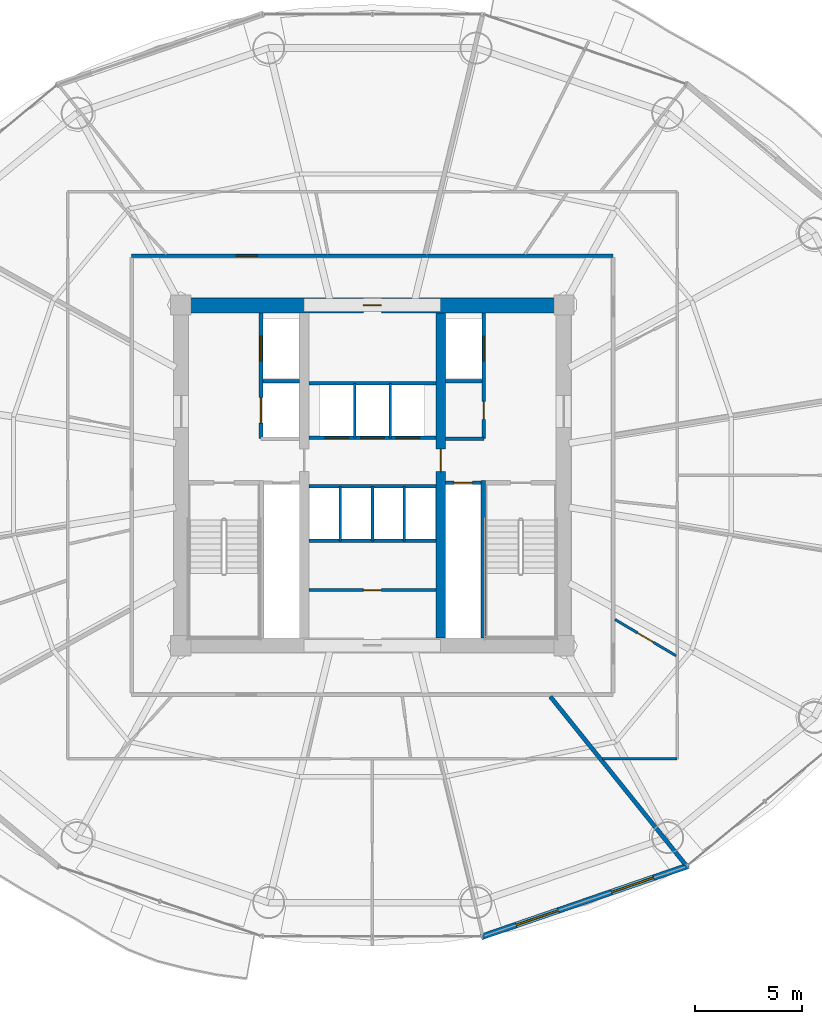
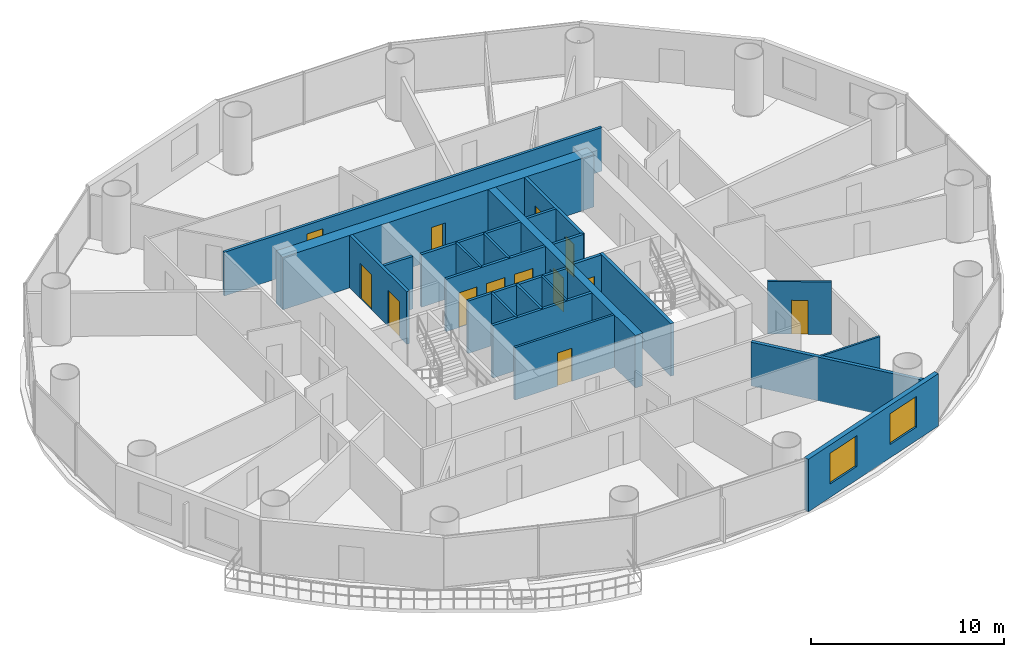
# One storey, part 23 of 29: 24 walls, 13 doors, 2 windows, 15 openings.
"""IFC4 building model written with IfcOpenShell, lengths in metres."""

from ifc_helpers import new_model, si_unit, direction, frame, frame_2d, origin, place, context, subcontext, project, spatial, rectangle, extrude, source, transform, mapped, material, layer, layer_set, type_object, element, fill, save


model = new_model("IFC4")

# Units and contexts
model_context = context("Model", 3, precision=1e-05, world=origin(), true_north=direction((-0.2419218956, 0.970295726276)))
body_context = subcontext(model_context, "Body", "Model", "MODEL_VIEW")
ifc_project = project(units=[si_unit("LENGTHUNIT", "METRE"), si_unit("AREAUNIT", "SQUARE_METRE"), si_unit("VOLUMEUNIT", "CUBIC_METRE"), si_unit("PLANEANGLEUNIT", "RADIAN"), si_unit("MASSUNIT", "GRAM", prefix="KILO")], contexts=[model_context])

# Site, building, storey
site_placement = place(None, origin())
site = spatial("IfcSite", under=ifc_project, at=site_placement, CompositionType="ELEMENT")
building_placement = place(site_placement, origin())
building = spatial("IfcBuilding", under=site, at=building_placement, Name="Cobrevalo Terracotta Tower", CompositionType="ELEMENT")
storey_placement = place(building_placement, frame((0.0, 0.0, 123.0)))
storey = spatial("IfcBuildingStorey", under=building, at=storey_placement, Name="L32", CompositionType="ELEMENT", Elevation=123.0)

# Wall, opening, door
ifc_material_1 = material(Name="Concrete C60", Category="concrete")
ifc_layer_1 = layer(ifc_material_1, 0.699951171875)
ifc_layer_set_1 = layer_set([ifc_layer_1], Name="Concrete C60")
wall_type_1 = type_object("IfcWallType", Name="Core shear wall 700 mm Concrete C60", PredefinedType="SHEAR", material=ifc_layer_set_1)
wall_1_placement = place(storey_placement, frame((28.675048828125, 34.77490234375, 0.0), z_axis=(0.0, 0.0, 1.0), x_axis=(1.0, 0.0, 0.0)))
wall_1 = element("IfcWall", 1, at=wall_1_placement, inside=storey, type_object=wall_type_1, Name="L32 north core shear wall", PredefinedType="SHEAR", context=body_context, shape_type="SweptSolid", body=[
    extrude(rectangle(XDim=18.64990234375, YDim=0.699951171875, at=frame_2d((9.324951171875, 0.0))), origin(), (0.0, 0.0, 1.0), 3.324951171875),
])
opening_1_placement = place(wall_1_placement, frame((8.89990234375, 0.0, 0.0)))
opening_1 = element("IfcOpeningElement", 2, at=opening_1_placement, cuts=wall_1, Name="Opening ID-22", PredefinedType="OPENING", context=body_context, shape_type="SweptSolid", body=[
    extrude(rectangle(XDim=0.85009765625, YDim=2.10009765625, at=frame_2d((0.425048828125, 1.050048828125))), frame((0.0, 0.35986328125, 0.0), z_axis=(0.0, -1.0, 0.0), x_axis=(1.0, 0.0, 0.0)), (0.0, 0.0, 1.0), 0.719970703125),
])
ifc_material_2 = material(Name="Powder-coated steel", Category="steel")
door_type_1 = type_object("IfcDoorType", Name="Riser shaft & meter closet fire access door 850x2100 EI 60", OperationType="NOTDEFINED", PredefinedType="DOOR", material=ifc_material_2)
shared_shape_1 = source(origin(), body_context, "Body", "SweptSolid", [
    extrude(rectangle(XDim=0.85009765625, YDim=2.10009765625, at=frame_2d((0.425048828125, 1.050048828125))), frame((0.0, 0.02490234375, 0.0), z_axis=(0.0, -1.0, 0.0), x_axis=(1.0, 0.0, 0.0)), (0.0, 0.0, 1.0), 0.050048828125),
])
door_1_placement = place(opening_1_placement, frame((0.85009765625, 0.0, 0.0), z_axis=(0.0, 0.0, 1.0), x_axis=(-1.0, 0.0, 0.0)))
door_1 = element("IfcDoor", 3, at=door_1_placement, inside=storey, type_object=door_type_1, Name="L32 core north service door Floor Electrical Switchroom", OperationType="SINGLE_SWING_LEFT", OverallHeight=2.10009765625, OverallWidth=0.85009765625, PredefinedType="DOOR", context=body_context, shape_type="MappedRepresentation", body=[
    mapped(shared_shape_1, transform((0.0, 0.0, 0.0), scale=1.0)),
])
fill(opening_1, door_1)

# Walls
ifc_material_3 = material(Name="Gypsum board on steel stud", Category="steel")
ifc_layer_2 = layer(ifc_material_3, 0.159912109375)
ifc_layer_set_2 = layer_set([ifc_layer_2], Name="Gypsum board on steel stud")
wall_type_2 = type_object("IfcWallType", Name="Fire-rated corridor acoustic partition wall 160 mm", PredefinedType="PARTITIONING", material=ifc_layer_set_2)
for number, where, z_axis, x_axis, name in (
    (4, (32.860107421875, 31.219970703125, 0.0), (0.0, 0.0, 1.0), (1.0, 0.0, 0.0), "L32 interior partition IW-L32-FF1-M"),
    (5, (41.425048828125, 31.219970703125, 0.0), (0.0, 0.0, 1.0), (1.0, 0.0, 0.0), "L32 interior partition IW-L32-FF2-M"),
):
    element("IfcWall", number, at=place(storey_placement, frame(where, z_axis=z_axis, x_axis=x_axis)), inside=storey, type_object=wall_type_2, Name=name, PredefinedType="PARTITIONING", context=body_context, shape_type="SweptSolid", body=[
        extrude(rectangle(XDim=1.71484375, YDim=0.159912109375, at=frame_2d((0.857421875, 0.0))), origin(), (0.0, 0.0, 1.0), 3.324951171875),
    ])
wall_2_placement = place(storey_placement, frame((41.425048828125, 28.52001953125, 0.0), z_axis=(0.0, 0.0, 1.0), x_axis=(1.0, 0.0, 0.0)))
element("IfcWall", 6, at=wall_2_placement, inside=storey, type_object=wall_type_2, Name="L32 interior partition IW-L32-FF2-S", PredefinedType="PARTITIONING", context=body_context, shape_type="SweptSolid", body=[
    extrude(rectangle(XDim=1.804931640625, YDim=0.159912109375, at=frame_2d((0.90234375, 0.0))), origin(), (0.0, 0.0, 1.0), 3.324951171875),
])

# Wall, openings, doors
wall_3_placement = place(storey_placement, frame((35.02490234375, 28.56005859375, 0.0), z_axis=(0.0, 0.0, 1.0), x_axis=(1.0, 0.0, 0.0)))
wall_3 = element("IfcWall", 7, at=wall_3_placement, inside=storey, type_object=wall_type_2, Name="L32 interior partition IW-L32-LB-S", PredefinedType="PARTITIONING", context=body_context, shape_type="SweptSolid", body=[
    extrude(rectangle(XDim=5.9501953125, YDim=0.159912109375, at=frame_2d((2.97509765625, 0.0))), origin(), (0.0, 0.0, 1.0), 3.324951171875),
])
opening_2_placement = place(wall_3_placement, frame((0.760009765625, 0.0, 0.0)))
opening_2 = element("IfcOpeningElement", 8, at=opening_2_placement, cuts=wall_3, Name="Opening LD-01", PredefinedType="OPENING", context=body_context, shape_type="SweptSolid", body=[
    extrude(rectangle(XDim=1.10009765625, YDim=2.199951171875, at=frame_2d((0.550048828125, 1.10009765625))), frame((0.0, 0.08984375, 0.0), z_axis=(0.0, -1.0, 0.0), x_axis=(1.0, 0.0, 0.0)), (0.0, 0.0, 1.0), 0.179931640625),
])
opening_3_placement = place(wall_3_placement, frame((2.425048828125, 0.0, 0.0)))
opening_3 = element("IfcOpeningElement", 9, at=opening_3_placement, cuts=wall_3, Name="Opening LD-01", PredefinedType="OPENING", context=body_context, shape_type="SweptSolid", body=[
    extrude(rectangle(XDim=1.10009765625, YDim=2.199951171875, at=frame_2d((0.550048828125, 1.10009765625))), frame((0.0, 0.08984375, 0.0), z_axis=(0.0, -1.0, 0.0), x_axis=(1.0, 0.0, 0.0)), (0.0, 0.0, 1.0), 0.179931640625),
])
opening_4_placement = place(wall_3_placement, frame((4.090087890625, 0.0, 0.0)))
opening_4 = element("IfcOpeningElement", 10, at=opening_4_placement, cuts=wall_3, Name="Opening LD-01", PredefinedType="OPENING", context=body_context, shape_type="SweptSolid", body=[
    extrude(rectangle(XDim=1.10009765625, YDim=2.199951171875, at=frame_2d((0.550048828125, 1.10009765625))), frame((0.0, 0.08984375, 0.0), z_axis=(0.0, -1.0, 0.0), x_axis=(1.0, 0.0, 0.0)), (0.0, 0.0, 1.0), 0.179931640625),
])
ifc_material_4 = material(Name="Brushed stainless steel", Category="steel")
door_type_2 = type_object("IfcDoorType", Name="Passenger lift landing bi-parting sliding door 1100x2200 EI 90", OperationType="DOUBLE_DOOR_SLIDING", PredefinedType="DOOR", material=ifc_material_4)
shared_shape_2 = source(origin(), body_context, "Body", "SweptSolid", [
    extrude(rectangle(XDim=1.10009765625, YDim=2.199951171875, at=frame_2d((0.550048828125, 1.10009765625))), frame((0.0, 0.02490234375, 0.0), z_axis=(0.0, -1.0, 0.0), x_axis=(1.0, 0.0, 0.0)), (0.0, 0.0, 1.0), 0.050048828125),
])
door_2_placement = place(opening_2_placement, origin())
door_2 = element("IfcDoor", 11, at=door_2_placement, inside=storey, type_object=door_type_2, Name="L32 lift landing door PL-L1", OperationType="DOUBLE_DOOR_SLIDING", OverallHeight=2.199951171875, OverallWidth=1.10009765625, PredefinedType="DOOR", context=body_context, shape_type="MappedRepresentation", body=[
    mapped(shared_shape_2, transform((0.0, 0.0, 0.0), scale=1.0)),
])
fill(opening_2, door_2)
door_3_placement = place(opening_3_placement, origin())
door_3 = element("IfcDoor", 12, at=door_3_placement, inside=storey, type_object=door_type_2, Name="L32 lift landing door PL-L2", OperationType="DOUBLE_DOOR_SLIDING", OverallHeight=2.199951171875, OverallWidth=1.10009765625, PredefinedType="DOOR", context=body_context, shape_type="MappedRepresentation", body=[
    mapped(shared_shape_2, transform((0.0, 0.0, 0.0), scale=1.0)),
])
fill(opening_3, door_3)
door_4_placement = place(opening_4_placement, origin())
door_4 = element("IfcDoor", 13, at=door_4_placement, inside=storey, type_object=door_type_2, Name="L32 lift landing door PL-L3", OperationType="DOUBLE_DOOR_SLIDING", OverallHeight=2.199951171875, OverallWidth=1.10009765625, PredefinedType="DOOR", context=body_context, shape_type="MappedRepresentation", body=[
    mapped(shared_shape_2, transform((0.0, 0.0, 0.0), scale=1.0)),
])
fill(opening_4, door_4)

# Walls
for number, where, z_axis, x_axis, name in (
    (14, (35.02490234375, 31.1201171875, 0.0), (0.0, 0.0, 1.0), (1.0, 0.0, 0.0), "L32 interior partition IW-L32-LB-N"),
    (15, (35.02490234375, 26.280029296875, 0.0), (0.0, 0.0, 1.0), (1.0, 0.0, 0.0), "L32 interior partition IW-L32-MB-N"),
    (16, (35.02490234375, 23.719970703125, 0.0), (0.0, 0.0, 1.0), (1.0, 0.0, 0.0), "L32 interior partition IW-L32-MB-S"),
):
    element("IfcWall", number, at=place(storey_placement, frame(where, z_axis=z_axis, x_axis=x_axis)), inside=storey, type_object=wall_type_2, Name=name, PredefinedType="PARTITIONING", context=body_context, shape_type="SweptSolid", body=[
        extrude(rectangle(XDim=5.9501953125, YDim=0.159912109375, at=frame_2d((2.97509765625, 0.0))), origin(), (0.0, 0.0, 1.0), 3.324951171875),
    ])

# Wall, opening, door
wall_4_placement = place(storey_placement, frame((26.695068359375, 37.10498046875, 0.0), z_axis=(0.0, 0.0, 1.0), x_axis=(1.0, 0.0, 0.0)))
wall_4 = element("IfcWall", 17, at=wall_4_placement, inside=storey, type_object=wall_type_2, Name="L32 interior partition IW-L32-COR-N", PredefinedType="PARTITIONING", context=body_context, shape_type="SweptSolid", body=[
    extrude(rectangle(XDim=22.60986328125, YDim=0.159912109375, at=frame_2d((11.304931640625, 0.0))), origin(), (0.0, 0.0, 1.0), 2.76708984375),
])
opening_5_placement = place(wall_4_placement, frame((4.925048828125, 0.0, 0.0)))
opening_5 = element("IfcOpeningElement", 18, at=opening_5_placement, cuts=wall_4, Name="Opening ID-05", PredefinedType="OPENING", context=body_context, shape_type="SweptSolid", body=[
    extrude(rectangle(XDim=0.97998046875, YDim=2.199951171875, at=frame_2d((0.489990234375, 1.10009765625))), frame((0.0, 0.08984375, 0.0), z_axis=(0.0, -1.0, 0.0), x_axis=(1.0, 0.0, 0.0)), (0.0, 0.0, 1.0), 0.179931640625),
])
ifc_material_5 = material(Name="Solid hardwood timber", Category="wood")
door_type_3 = type_object("IfcDoorType", Name="Residence entrance fire-rated acoustic timber door 980x2200 EI 60", OperationType="NOTDEFINED", PredefinedType="DOOR", material=ifc_material_5)
shared_shape_3 = source(origin(), body_context, "Body", "SweptSolid", [
    extrude(rectangle(XDim=0.97998046875, YDim=2.199951171875, at=frame_2d((0.489990234375, 1.10009765625))), frame((0.0, 0.02490234375, 0.0), z_axis=(0.0, -1.0, 0.0), x_axis=(1.0, 0.0, 0.0)), (0.0, 0.0, 1.0), 0.050048828125),
])
door_5_placement = place(opening_5_placement, origin())
door_5 = element("IfcDoor", 19, at=door_5_placement, inside=storey, type_object=door_type_3, Name="Flat L32B fire-rated apartment entrance door", OperationType="SINGLE_SWING_LEFT", OverallHeight=2.199951171875, OverallWidth=0.97998046875, PredefinedType="DOOR", context=body_context, shape_type="MappedRepresentation", body=[
    mapped(shared_shape_3, transform((0.0, 0.0, 0.0), scale=1.0)),
])
fill(opening_5, door_5)

ifc_layer_3 = layer(ifc_material_3, 0.179931640625)
ifc_layer_set_3 = layer_set([ifc_layer_3], Name="Gypsum board on steel stud")
wall_type_3 = type_object("IfcWallType", Name="Fire-rated shaft & lobby acoustic partition wall 180 mm", PredefinedType="PARTITIONING", material=ifc_layer_set_3)
wall_5_placement = place(storey_placement, frame((41.425048828125, 26.449951171875, 0.0), z_axis=(0.0, 0.0, 1.0), x_axis=(1.0, 0.0, 0.0)))
wall_5 = element("IfcWall", 20, at=wall_5_placement, inside=storey, type_object=wall_type_3, Name="L32 interior partition IW-L32-RSE-N", PredefinedType="PARTITIONING", context=body_context, shape_type="SweptSolid", body=[
    extrude(rectangle(XDim=1.675048828125, YDim=0.179931640625, at=frame_2d((0.83740234375, 0.0))), origin(), (0.0, 0.0, 1.0), 3.324951171875),
])
opening_6_placement = place(wall_5_placement, frame((0.41259765625, 0.0, 0.0)))
opening_6 = element("IfcOpeningElement", 21, at=opening_6_placement, cuts=wall_5, Name="Opening ID-22", PredefinedType="OPENING", context=body_context, shape_type="SweptSolid", body=[
    extrude(rectangle(XDim=0.85009765625, YDim=2.10009765625, at=frame_2d((0.425048828125, 1.050048828125))), frame((0.0, 0.10009765625, 0.0), z_axis=(0.0, -1.0, 0.0), x_axis=(1.0, 0.0, 0.0)), (0.0, 0.0, 1.0), 0.199951171875),
])
door_6_placement = place(opening_6_placement, origin())
door_6 = element("IfcDoor", 22, at=door_6_placement, inside=storey, type_object=door_type_1, Name="L32 riser access door RSE", OperationType="SINGLE_SWING_RIGHT", OverallHeight=2.10009765625, OverallWidth=0.85009765625, PredefinedType="DOOR", context=body_context, shape_type="MappedRepresentation", body=[
    mapped(shared_shape_1, transform((0.0, 0.0, 0.0), scale=1.0)),
])
fill(opening_6, door_6)

# Wall, openings, doors
wall_6_placement = place(storey_placement, frame((32.77001953125, 28.52001953125, 0.0), z_axis=(0.0, 0.0, 1.0), x_axis=(0.0, 1.0, 0.0)))
wall_6 = element("IfcWall", 23, at=wall_6_placement, inside=storey, type_object=wall_type_3, Name="L32 interior partition IW-L32-FF1-W", PredefinedType="PARTITIONING", context=body_context, shape_type="SweptSolid", body=[
    extrude(rectangle(XDim=5.905029296875, YDim=0.179931640625, at=frame_2d((2.95263671875, 0.0))), origin(), (0.0, 0.0, 1.0), 3.324951171875),
])
opening_7_placement = place(wall_6_placement, frame((3.655029296875, 0.0, 0.0)))
opening_7 = element("IfcOpeningElement", 24, at=opening_7_placement, cuts=wall_6, Name="Opening LD-02", PredefinedType="OPENING", context=body_context, shape_type="SweptSolid", body=[
    extrude(rectangle(XDim=1.14990234375, YDim=2.199951171875, at=frame_2d((0.574951171875, 1.10009765625))), frame((0.0, 0.10009765625, 0.0), z_axis=(0.0, -1.0, 0.0), x_axis=(1.0, 0.0, 0.0)), (0.0, 0.0, 1.0), 0.199951171875),
])
opening_8_placement = place(wall_6_placement, frame((0.72998046875, 0.0, 0.0)))
opening_8 = element("IfcOpeningElement", 25, at=opening_8_placement, cuts=wall_6, Name="Opening LD-03", PredefinedType="OPENING", context=body_context, shape_type="SweptSolid", body=[
    extrude(rectangle(XDim=1.199951171875, YDim=2.25, at=frame_2d((0.60009765625, 1.125))), frame((0.0, 0.10009765625, 0.0), z_axis=(0.0, -1.0, 0.0), x_axis=(1.0, 0.0, 0.0)), (0.0, 0.0, 1.0), 0.199951171875),
])
door_type_4 = type_object("IfcDoorType", Name="Firefighting lift landing bi-parting sliding door 1150x2200 EI 120", OperationType="DOUBLE_DOOR_SLIDING", PredefinedType="DOOR", material=ifc_material_4)
shared_shape_4 = source(origin(), body_context, "Body", "SweptSolid", [
    extrude(rectangle(XDim=1.14990234375, YDim=2.199951171875, at=frame_2d((0.574951171875, 1.10009765625))), frame((0.0, 0.02490234375, 0.0), z_axis=(0.0, -1.0, 0.0), x_axis=(1.0, 0.0, 0.0)), (0.0, 0.0, 1.0), 0.050048828125),
])
door_7_placement = place(opening_7_placement, origin())
door_7 = element("IfcDoor", 26, at=door_7_placement, inside=storey, type_object=door_type_4, Name="L32 lift landing door FF-1", OperationType="DOUBLE_DOOR_SLIDING", OverallHeight=2.199951171875, OverallWidth=1.14990234375, PredefinedType="DOOR", context=body_context, shape_type="MappedRepresentation", body=[
    mapped(shared_shape_4, transform((0.0, 0.0, 0.0), scale=1.0)),
])
fill(opening_7, door_7)
door_type_5 = type_object("IfcDoorType", Name="Service lift landing bi-parting sliding door 1200x2250 EI 120", OperationType="DOUBLE_DOOR_SLIDING", PredefinedType="DOOR", material=ifc_material_4)
shared_shape_5 = source(origin(), body_context, "Body", "SweptSolid", [
    extrude(rectangle(XDim=1.199951171875, YDim=2.25, at=frame_2d((0.60009765625, 1.125))), frame((0.0, 0.02490234375, 0.0), z_axis=(0.0, -1.0, 0.0), x_axis=(1.0, 0.0, 0.0)), (0.0, 0.0, 1.0), 0.050048828125),
])
door_8_placement = place(opening_8_placement, origin())
door_8 = element("IfcDoor", 27, at=door_8_placement, inside=storey, type_object=door_type_5, Name="L32 lift landing door SV-1", OperationType="DOUBLE_DOOR_SLIDING", OverallHeight=2.25, OverallWidth=1.199951171875, PredefinedType="DOOR", context=body_context, shape_type="MappedRepresentation", body=[
    mapped(shared_shape_5, transform((0.0, 0.0, 0.0), scale=1.0)),
])
fill(opening_8, door_8)

wall_7_placement = place(storey_placement, frame((43.22998046875, 28.52001953125, 0.0), z_axis=(0.0, 0.0, 1.0), x_axis=(0.0, 1.0, 0.0)))
wall_7 = element("IfcWall", 28, at=wall_7_placement, inside=storey, type_object=wall_type_3, Name="L32 interior partition IW-L32-FF2-E", PredefinedType="PARTITIONING", context=body_context, shape_type="SweptSolid", body=[
    extrude(rectangle(XDim=5.905029296875, YDim=0.179931640625, at=frame_2d((2.95263671875, 0.0))), origin(), (0.0, 0.0, 1.0), 3.324951171875),
])
opening_9_placement = place(wall_7_placement, frame((0.905029296875, 0.0, 0.0)))
opening_9 = element("IfcOpeningElement", 29, at=opening_9_placement, cuts=wall_7, Name="Opening ID-22", PredefinedType="OPENING", context=body_context, shape_type="SweptSolid", body=[
    extrude(rectangle(XDim=0.85009765625, YDim=2.10009765625, at=frame_2d((0.425048828125, 1.050048828125))), frame((0.0, 0.10009765625, 0.0), z_axis=(0.0, -1.0, 0.0), x_axis=(1.0, 0.0, 0.0)), (0.0, 0.0, 1.0), 0.199951171875),
])
opening_10_placement = place(wall_7_placement, frame((3.655029296875, 0.0, 0.0)))
opening_10 = element("IfcOpeningElement", 30, at=opening_10_placement, cuts=wall_7, Name="Opening LD-02", PredefinedType="OPENING", context=body_context, shape_type="SweptSolid", body=[
    extrude(rectangle(XDim=1.14990234375, YDim=2.199951171875, at=frame_2d((0.574951171875, 1.10009765625))), frame((0.0, 0.10009765625, 0.0), z_axis=(0.0, -1.0, 0.0), x_axis=(1.0, 0.0, 0.0)), (0.0, 0.0, 1.0), 0.199951171875),
])
door_9_placement = place(opening_9_placement, frame((0.85009765625, 0.0, 0.0), z_axis=(0.0, 0.0, 1.0), x_axis=(-1.0, 0.0, 0.0)))
door_9 = element("IfcDoor", 31, at=door_9_placement, inside=storey, type_object=door_type_1, Name="L32 housekeeping store door", OperationType="SINGLE_SWING_RIGHT", OverallHeight=2.10009765625, OverallWidth=0.85009765625, PredefinedType="DOOR", context=body_context, shape_type="MappedRepresentation", body=[
    mapped(shared_shape_1, transform((0.0, 0.0, 0.0), scale=1.0)),
])
fill(opening_9, door_9)
door_10_placement = place(opening_10_placement, origin())
door_10 = element("IfcDoor", 32, at=door_10_placement, inside=storey, type_object=door_type_4, Name="L32 lift landing door FF-2", OperationType="DOUBLE_DOOR_SLIDING", OverallHeight=2.199951171875, OverallWidth=1.14990234375, PredefinedType="DOOR", context=body_context, shape_type="MappedRepresentation", body=[
    mapped(shared_shape_4, transform((0.0, 0.0, 0.0), scale=1.0)),
])
fill(opening_10, door_10)

# Walls
ifc_material_6 = material(Name="Autoclaved aerated concrete block", Category="concrete")
ifc_layer_4 = layer(ifc_material_6, 0.199951171875)
ifc_layer_set_4 = layer_set([ifc_layer_4], Name="Autoclaved aerated concrete block")
wall_type_4 = type_object("IfcWallType", Name="Fire-rated stair, shaft & demising masonry wall 200 mm", PredefinedType="PARTITIONING", material=ifc_layer_set_4)
wall_8_placement = place(storey_placement, frame((46.35205078125, 16.4150390625, 0.0), z_axis=(0.0, 0.0, 1.0), x_axis=(0.626701127389, -0.779259710834, 0.0)))
element("IfcWall", 33, at=wall_8_placement, inside=storey, type_object=wall_type_4, Name="L32 interior partition IW-L32-DEM-5", PredefinedType="PARTITIONING", context=body_context, shape_type="SweptSolid", body=[
    extrude(rectangle(XDim=10.14111328125, YDim=0.199951171875, at=frame_2d((5.070556640625, 0.0))), origin(), (0.0, 0.0, 1.0), 2.76708984375),
])
ifc_layer_5 = layer(ifc_material_6, 0.1201171875)
ifc_layer_set_5 = layer_set([ifc_layer_5], Name="Autoclaved aerated concrete block")
wall_type_5 = type_object("IfcWallType", Name="Fire-rated wet-room & core service partition 120 mm", PredefinedType="PARTITIONING", material=ifc_layer_set_5)
for number, where, z_axis, x_axis, name in (
    (34, (37.169921875, 28.56005859375, 0.0), (0.0, 0.0, 1.0), (0.0, 1.0, 0.0), "L32 interior partition IW-L32-LB-D1"),
    (35, (38.830078125, 28.56005859375, 0.0), (0.0, 0.0, 1.0), (0.0, 1.0, 0.0), "L32 interior partition IW-L32-LB-D2"),
    (36, (36.5, 23.719970703125, 0.0), (0.0, 0.0, 1.0), (0.0, 1.0, 0.0), "L32 interior partition IW-L32-MB-D1"),
    (37, (39.5, 23.719970703125, 0.0), (0.0, 0.0, 1.0), (0.0, 1.0, 0.0), "L32 interior partition IW-L32-MB-D3"),
):
    element("IfcWall", number, at=place(storey_placement, frame(where, z_axis=z_axis, x_axis=x_axis)), inside=storey, type_object=wall_type_5, Name=name, PredefinedType="PARTITIONING", context=body_context, shape_type="SweptSolid", body=[
        extrude(rectangle(XDim=2.56005859375, YDim=0.1201171875, at=frame_2d((1.280029296875, 0.0))), origin(), (0.0, 0.0, 1.0), 3.324951171875),
    ])

# Wall, openings, windows
ifc_layer_6 = layer(ifc_material_6, 0.280029296875)
ifc_layer_set_6 = layer_set([ifc_layer_6], Name="Autoclaved aerated concrete block")
wall_type_6 = type_object("IfcWallType", Name="Insulated tower spandrel & pier wall 280 mm with terracotta rainscreen", PredefinedType="SOLIDWALL", material=ifc_layer_set_6)
wall_9_placement = place(storey_placement, frame((43.10791015625, 5.1279296875, 0.0), z_axis=(0.0, 0.0, 1.0), x_axis=(0.945590132341, 0.325360264351, 0.0)))
wall_9 = element("IfcWall", 38, at=wall_9_placement, inside=storey, type_object=wall_type_6, Name="L32 terracotta rainscreen pier wall S13", PredefinedType="SOLIDWALL", context=body_context, shape_type="SweptSolid", body=[
    extrude(rectangle(XDim=10.2890625, YDim=0.280029296875, at=frame_2d((5.14453125, 0.0))), origin(), (0.0, 0.0, 1.0), 3.324951171875),
])
opening_11_placement = place(wall_9_placement, frame((1.72802734375, 0.0, 0.85009765625)))
opening_11 = element("IfcOpeningElement", 39, at=opening_11_placement, cuts=wall_9, Name="Opening WN-10", PredefinedType="OPENING", context=body_context, shape_type="SweptSolid", body=[
    extrude(rectangle(XDim=2.10009765625, YDim=1.949951171875, at=frame_2d((1.050048828125, 0.97509765625))), frame((0.0, 0.14990234375, 0.0), z_axis=(0.0, -1.0, 0.0), x_axis=(1.0, 0.0, 0.0)), (0.0, 0.0, 1.0), 0.300048828125),
])
opening_12_placement = place(wall_9_placement, frame((6.4609375, 0.0, 0.85009765625)))
opening_12 = element("IfcOpeningElement", 40, at=opening_12_placement, cuts=wall_9, Name="Opening WN-10", PredefinedType="OPENING", context=body_context, shape_type="SweptSolid", body=[
    extrude(rectangle(XDim=2.10009765625, YDim=1.949951171875, at=frame_2d((1.050048828125, 0.97509765625))), frame((0.0, 0.14990234375, 0.0), z_axis=(0.0, -1.0, 0.0), x_axis=(1.0, 0.0, 0.0)), (0.0, 0.0, 1.0), 0.300048828125),
])
ifc_material_7 = material(Name="Solar-control low-E double glazing", Category="glass")
window_type = type_object("IfcWindowType", Name="Wide panoramic low-E aluminium window 2100x1950", PartitioningType="SINGLE_PANEL", PredefinedType="WINDOW", material=ifc_material_7)
shared_shape_6 = source(origin(), body_context, "Body", "SweptSolid", [
    extrude(rectangle(XDim=2.10009765625, YDim=1.949951171875, at=frame_2d((1.050048828125, 0.97509765625))), frame((0.0, 0.030029296875, 0.0), z_axis=(0.0, -1.0, 0.0), x_axis=(1.0, 0.0, 0.0)), (0.0, 0.0, 1.0), 0.06005859375),
])
window_1_placement = place(opening_11_placement, origin())
window_1 = element("IfcWindow", 41, at=window_1_placement, inside=storey, type_object=window_type, Name="L32 suite window S13A", OverallHeight=1.949951171875, OverallWidth=2.10009765625, PartitioningType="SINGLE_PANEL", PredefinedType="WINDOW", context=body_context, shape_type="MappedRepresentation", body=[
    mapped(shared_shape_6, transform((0.0, 0.0, 0.0), scale=1.0)),
])
fill(opening_11, window_1)
window_2_placement = place(opening_12_placement, origin())
window_2 = element("IfcWindow", 42, at=window_2_placement, inside=storey, type_object=window_type, Name="L32 suite window S13B", OverallHeight=1.949951171875, OverallWidth=2.10009765625, PartitioningType="SINGLE_PANEL", PredefinedType="WINDOW", context=body_context, shape_type="MappedRepresentation", body=[
    mapped(shared_shape_6, transform((0.0, 0.0, 0.0), scale=1.0)),
])
fill(opening_12, window_2)

# Wall, opening, door
ifc_material_8 = material(Name="Concrete C55", Category="concrete")
ifc_layer_7 = layer(ifc_material_8, 0.449951171875)
ifc_layer_set_7 = layer_set([ifc_layer_7], Name="Concrete C55")
wall_type_7 = type_object("IfcWallType", Name="Internal core shear web wall 450 mm Concrete C55", PredefinedType="SHEAR", material=ifc_layer_set_7)
wall_10_placement = place(storey_placement, frame((41.199951171875, 19.175048828125, 0.0), z_axis=(0.0, 0.0, 1.0), x_axis=(0.0, 1.0, 0.0)))
wall_10 = element("IfcWall", 43, at=wall_10_placement, inside=storey, type_object=wall_type_7, Name="L32 internal core shear wall WEB-E", PredefinedType="SHEAR", context=body_context, shape_type="SweptSolid", body=[
    extrude(rectangle(XDim=15.25, YDim=0.449951171875, at=frame_2d((7.625, 0.0))), origin(), (0.0, 0.0, 1.0), 3.324951171875),
])
opening_13_placement = place(wall_10_placement, frame((7.800048828125, 0.0, 0.0)))
opening_13 = element("IfcOpeningElement", 44, at=opening_13_placement, cuts=wall_10, Name="Opening ID-11", PredefinedType="OPENING", context=body_context, shape_type="SweptSolid", body=[
    extrude(rectangle(XDim=1.050048828125, YDim=2.14990234375, at=frame_2d((0.52490234375, 1.074951171875))), frame((0.0, 0.23486328125, 0.0), z_axis=(0.0, -1.0, 0.0), x_axis=(1.0, 0.0, 0.0)), (0.0, 0.0, 1.0), 0.469970703125),
])
ifc_material_9 = material(Name="Galvanized fire-rated steel", Category="steel")
door_type_6 = type_object("IfcDoorType", Name="Core concourse cross fire door 1050x2150 EI 90", OperationType="NOTDEFINED", PredefinedType="DOOR", material=ifc_material_9)
shared_shape_7 = source(origin(), body_context, "Body", "SweptSolid", [
    extrude(rectangle(XDim=1.050048828125, YDim=2.14990234375, at=frame_2d((0.52490234375, 1.074951171875))), frame((0.0, 0.02490234375, 0.0), z_axis=(0.0, -1.0, 0.0), x_axis=(1.0, 0.0, 0.0)), (0.0, 0.0, 1.0), 0.050048828125),
])
door_11_placement = place(opening_13_placement, frame((1.050048828125, 0.0, 0.0), z_axis=(0.0, 0.0, 1.0), x_axis=(-1.0, 0.0, 0.0)))
door_11 = element("IfcDoor", 45, at=door_11_placement, inside=storey, type_object=door_type_6, Name="L32 east core concourse cross door", OperationType="SINGLE_SWING_RIGHT", OverallHeight=2.14990234375, OverallWidth=1.050048828125, PredefinedType="DOOR", context=body_context, shape_type="MappedRepresentation", body=[
    mapped(shared_shape_7, transform((0.0, 0.0, 0.0), scale=1.0)),
])
fill(opening_13, door_11)

# Wall
ifc_layer_8 = layer(ifc_material_6, 0.139892578125)
ifc_layer_set_8 = layer_set([ifc_layer_8], Name="Autoclaved aerated concrete block")
wall_type_8 = type_object("IfcWallType", Name="Moisture-resistant wet-room & core service partition 140 mm", PredefinedType="PARTITIONING", material=ifc_layer_set_8)
wall_11_placement = place(storey_placement, frame((38.0, 23.719970703125, 0.0), z_axis=(0.0, 0.0, 1.0), x_axis=(0.0, 1.0, 0.0)))
element("IfcWall", 46, at=wall_11_placement, inside=storey, type_object=wall_type_8, Name="L32 interior partition IW-L32-MB-D2", PredefinedType="PARTITIONING", context=body_context, shape_type="SweptSolid", body=[
    extrude(rectangle(XDim=2.56005859375, YDim=0.139892578125, at=frame_2d((1.280029296875, 0.0))), origin(), (0.0, 0.0, 1.0), 3.324951171875),
])

# Wall, opening, door
wall_12_placement = place(storey_placement, frame((35.02490234375, 21.407470703125, 0.0), z_axis=(0.0, 0.0, 1.0), x_axis=(1.0, 0.0, 0.0)))
wall_12 = element("IfcWall", 47, at=wall_12_placement, inside=storey, type_object=wall_type_8, Name="L32 interior partition IW-L32-KVS-H", PredefinedType="PARTITIONING", context=body_context, shape_type="SweptSolid", body=[
    extrude(rectangle(XDim=5.9501953125, YDim=0.139892578125, at=frame_2d((2.97509765625, 0.0))), origin(), (0.0, 0.0, 1.0), 3.324951171875),
])
opening_14_placement = place(wall_12_placement, frame((2.550048828125, 0.0, 0.0)))
opening_14 = element("IfcOpeningElement", 48, at=opening_14_placement, cuts=wall_12, Name="Opening ID-22", PredefinedType="OPENING", context=body_context, shape_type="SweptSolid", body=[
    extrude(rectangle(XDim=0.85009765625, YDim=2.10009765625, at=frame_2d((0.425048828125, 1.050048828125))), frame((0.0, 0.080078125, 0.0), z_axis=(0.0, -1.0, 0.0), x_axis=(1.0, 0.0, 0.0)), (0.0, 0.0, 1.0), 0.159912109375),
])
door_12_placement = place(opening_14_placement, origin())
door_12 = element("IfcDoor", 49, at=door_12_placement, inside=storey, type_object=door_type_1, Name="L32 core manifold inner door", OperationType="SINGLE_SWING_LEFT", OverallHeight=2.10009765625, OverallWidth=0.85009765625, PredefinedType="DOOR", context=body_context, shape_type="MappedRepresentation", body=[
    mapped(shared_shape_1, transform((0.0, 0.0, 0.0), scale=1.0)),
])
fill(opening_14, door_12)

# Wall
ifc_layer_9 = layer(ifc_material_3, 0.1201171875)
ifc_layer_set_9 = layer_set([ifc_layer_9], Name="Gypsum board on steel stud")
wall_type_9 = type_object("IfcWallType", Name="Residential internal acoustic stud partition 120 mm", PredefinedType="PARTITIONING", material=ifc_layer_set_9)
wall_13_placement = place(storey_placement, frame((52.304931640625, 13.4951171875, 0.0), z_axis=(0.0, 0.0, 1.0), x_axis=(-1.0, 0.0, 0.0)))
element("IfcWall", 50, at=wall_13_placement, inside=storey, type_object=wall_type_9, Name="L32 interior partition IW-L32-U5-RING1_0", PredefinedType="PARTITIONING", context=body_context, shape_type="SweptSolid", body=[
    extrude(rectangle(XDim=3.502685546875, YDim=0.1201171875, at=frame_2d((1.75146484375, 0.0))), origin(), (0.0, 0.0, 1.0), 2.76708984375),
])

# Wall, opening, door
wall_14_placement = place(storey_placement, frame((49.38671875, 20.033935546875, 0.0), z_axis=(0.0, 0.0, 1.0), x_axis=(0.859682842925, -0.510828160521, 0.0)))
wall_14 = element("IfcWall", 51, at=wall_14_placement, inside=storey, type_object=wall_type_9, Name="L32 interior partition IW-L32-U5-IRAD1", PredefinedType="PARTITIONING", context=body_context, shape_type="SweptSolid", body=[
    extrude(rectangle(XDim=3.33251953125, YDim=0.1201171875, at=frame_2d((1.666259765625, 0.0))), origin(), (0.0, 0.0, 1.0), 3.324951171875),
])
opening_15_placement = place(wall_14_placement, frame((1.236328125, 0.0, 0.0)))
opening_15 = element("IfcOpeningElement", 52, at=opening_15_placement, cuts=wall_14, Name="Opening ID-19", PredefinedType="OPENING", context=body_context, shape_type="SweptSolid", body=[
    extrude(rectangle(XDim=0.860107421875, YDim=2.14990234375, at=frame_2d((0.43017578125, 1.074951171875))), frame((0.0, 0.070068359375, 0.0), z_axis=(0.0, -1.0, 0.0), x_axis=(1.0, 0.0, 0.0)), (0.0, 0.0, 1.0), 0.14013671875),
])
ifc_material_10 = material(Name="Moisture-sealed timber", Category="wood")
door_type_7 = type_object("IfcDoorType", Name="Suite bathroom internal timber door 860x2150", OperationType="NOTDEFINED", PredefinedType="DOOR", material=ifc_material_10)
shared_shape_8 = source(origin(), body_context, "Body", "SweptSolid", [
    extrude(rectangle(XDim=0.860107421875, YDim=2.14990234375, at=frame_2d((0.43017578125, 1.074951171875))), frame((0.0, 0.02490234375, 0.0), z_axis=(0.0, -1.0, 0.0), x_axis=(1.0, 0.0, 0.0)), (0.0, 0.0, 1.0), 0.050048828125),
])
door_13_placement = place(opening_15_placement, origin())
door_13 = element("IfcDoor", 53, at=door_13_placement, inside=storey, type_object=door_type_7, Name="Flat L32E Primary Bathroom internal door", OperationType="SINGLE_SWING_RIGHT", OverallHeight=2.14990234375, OverallWidth=0.860107421875, PredefinedType="DOOR", context=body_context, shape_type="MappedRepresentation", body=[
    mapped(shared_shape_8, transform((0.0, 0.0, 0.0), scale=1.0)),
])
fill(opening_15, door_13)

# Wall
ifc_material_11 = material(Name="Concrete C50", Category="concrete")
ifc_layer_10 = layer(ifc_material_11, 0.199951171875)
ifc_layer_set_10 = layer_set([ifc_layer_10], Name="Concrete C50")
wall_type_10 = type_object("IfcWallType", Name="Structural core & podium stair-shaft RC wall 200 mm Concrete C50", PredefinedType="SOLIDWALL", material=ifc_layer_set_10)
wall_15_placement = place(storey_placement, frame((43.205078125, 19.175048828125, 0.0), z_axis=(0.0, 0.0, 1.0), x_axis=(0.0, 1.0, 0.0)))
element("IfcWall", 54, at=wall_15_placement, inside=storey, type_object=wall_type_10, Name="L32 ST-2 west structural shaft wall", PredefinedType="SOLIDWALL", context=body_context, shape_type="SweptSolid", body=[
    extrude(rectangle(XDim=7.375, YDim=0.199951171875, at=frame_2d((3.6875, 0.0))), origin(), (0.0, 0.0, 1.0), 3.324951171875),
])

save(model, "model.ifc")
